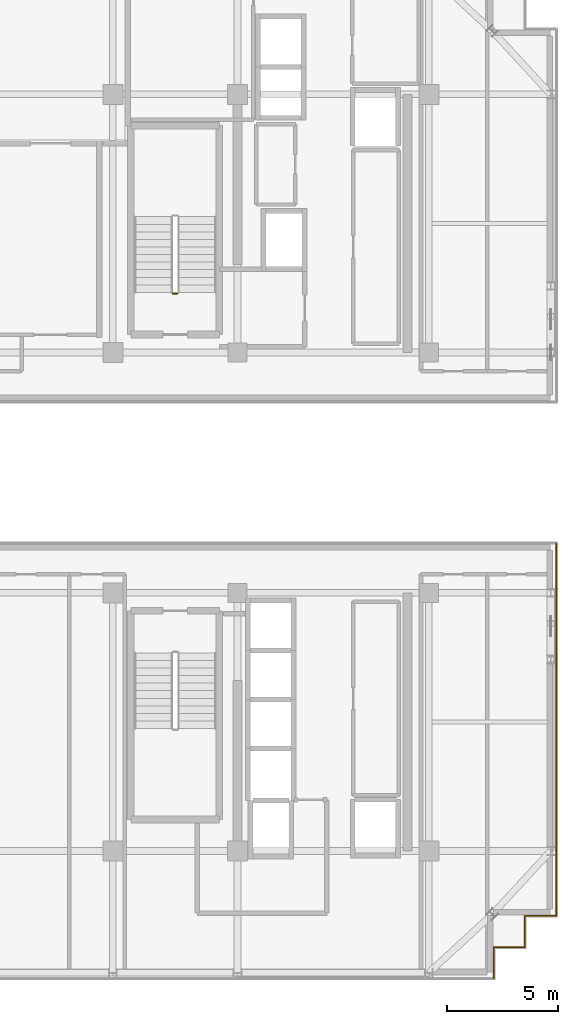
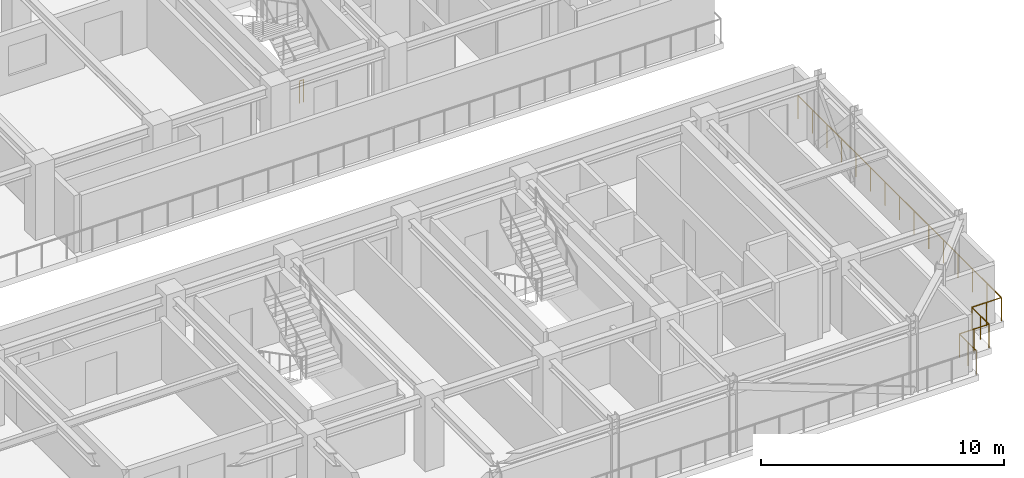
# One storey, part 12 of 14: 6 railings.
"""IFC4 building model written with IfcOpenShell, lengths in metres."""

from ifc_helpers import new_model, si_unit, direction, frame, origin, origin_2d, place, context, subcontext, project, spatial, circle, extrude, material, type_object, element, save


model = new_model("IFC4")

# Units and contexts
model_context = context("Model", 3, precision=1e-05, world=origin(), true_north=direction((0.0, 1.0)))
body_context = subcontext(model_context, "Body", "Model", "MODEL_VIEW")
ifc_project = project(units=[si_unit("LENGTHUNIT", "METRE"), si_unit("AREAUNIT", "SQUARE_METRE"), si_unit("VOLUMEUNIT", "CUBIC_METRE"), si_unit("PLANEANGLEUNIT", "RADIAN"), si_unit("MASSUNIT", "GRAM", prefix="KILO")], contexts=[model_context])

# Site, building, storey
site_placement = place(None, origin())
site = spatial("IfcSite", under=ifc_project, at=site_placement, CompositionType="ELEMENT")
building_placement = place(site_placement, origin())
building = spatial("IfcBuilding", under=site, at=building_placement, Name="Nahalor Promenade Grand Hotel", CompositionType="ELEMENT")
storey_placement = place(building_placement, frame((0.0, 0.0, 296.5)))
storey = spatial("IfcBuildingStorey", under=building, at=storey_placement, Name="L76", CompositionType="ELEMENT", Elevation=296.5)

# Railings
ifc_material_1 = material(Name="Anodised Bronze Aluminium EN AW-6063 T6", Category="aluminium")
railing_type_1 = type_object("IfcRailingType", Name="Bronze Balcony Guardrail 1200 mm", PredefinedType="GUARDRAIL", material=ifc_material_1)
railing_1_placement = place(storey_placement, frame((19.919921875, -22.719970703125, 0.0)))
element("IfcRailing", 1, at=railing_1_placement, inside=storey, type_object=railing_type_1, Name="L76 Edge Guardrail RL-L76-WP-S-2", PredefinedType="GUARDRAIL", context=body_context, shape_type="SweptSolid", body=[
    extrude(circle(Radius=0.024048, at=origin_2d()), frame((0.0, 0.0, 1.17578125), z_axis=(0.0, 1.0, 0.0), x_axis=(-1.0, 0.0, 0.0)), (0.0, 0.0, 1.0), 1.39990234375),
    extrude(circle(Radius=0.020996, at=origin_2d()), origin(), (0.0, 0.0, 1.0), 1.14990234375),
    extrude(circle(Radius=0.020996, at=origin_2d()), frame((0.0, 0.699951171875, 0.0)), (0.0, 0.0, 1.0), 1.14990234375),
    extrude(circle(Radius=0.020996, at=origin_2d()), frame((0.0, 1.39990234375, 0.0)), (0.0, 0.0, 1.0), 1.14990234375),
])
railing_2_placement = place(storey_placement, frame((19.919921875, -21.320068359375, 0.0)))
element("IfcRailing", 2, at=railing_2_placement, inside=storey, type_object=railing_type_1, Name="L76 Edge Guardrail RL-L76-WP-S-3", PredefinedType="GUARDRAIL", context=body_context, shape_type="SweptSolid", body=[
    extrude(circle(Radius=0.024048, at=origin_2d()), frame((0.0, 0.0, 1.17578125), z_axis=(1.0, 0.0, 0.0), x_axis=(0.0, 1.0, 0.0)), (0.0, 0.0, 1.0), 1.400146484375),
    extrude(circle(Radius=0.020996, at=origin_2d()), origin(), (0.0, 0.0, 1.0), 1.14990234375),
    extrude(circle(Radius=0.020996, at=origin_2d()), frame((0.7001953125, 0.0, 0.0)), (0.0, 0.0, 1.0), 1.14990234375),
    extrude(circle(Radius=0.020996, at=origin_2d()), frame((1.400146484375, 0.0, 0.0)), (0.0, 0.0, 1.0), 1.14990234375),
])
railing_3_placement = place(storey_placement, frame((21.320068359375, -21.320068359375, 0.0)))
element("IfcRailing", 3, at=railing_3_placement, inside=storey, type_object=railing_type_1, Name="L76 Edge Guardrail RL-L76-WP-S-4", PredefinedType="GUARDRAIL", context=body_context, shape_type="SweptSolid", body=[
    extrude(circle(Radius=0.024048, at=origin_2d()), frame((0.0, 0.0, 1.17578125), z_axis=(0.0, 1.0, 0.0), x_axis=(-1.0, 0.0, 0.0)), (0.0, 0.0, 1.0), 1.400146484375),
    extrude(circle(Radius=0.020996, at=origin_2d()), origin(), (0.0, 0.0, 1.0), 1.14990234375),
    extrude(circle(Radius=0.020996, at=origin_2d()), frame((0.0, 0.7001953125, 0.0)), (0.0, 0.0, 1.0), 1.14990234375),
    extrude(circle(Radius=0.020996, at=origin_2d()), frame((0.0, 1.400146484375, 0.0)), (0.0, 0.0, 1.0), 1.14990234375),
])
railing_4_placement = place(storey_placement, frame((21.320068359375, -19.919921875, 0.0)))
element("IfcRailing", 4, at=railing_4_placement, inside=storey, type_object=railing_type_1, Name="L76 Edge Guardrail RL-L76-WP-S-5", PredefinedType="GUARDRAIL", context=body_context, shape_type="SweptSolid", body=[
    extrude(circle(Radius=0.024048, at=origin_2d()), frame((0.0, 0.0, 1.17578125), z_axis=(1.0, 0.0, 0.0), x_axis=(0.0, 1.0, 0.0)), (0.0, 0.0, 1.0), 1.39990234375),
    extrude(circle(Radius=0.020996, at=origin_2d()), origin(), (0.0, 0.0, 1.0), 1.14990234375),
    extrude(circle(Radius=0.020996, at=origin_2d()), frame((0.699951171875, 0.0, 0.0)), (0.0, 0.0, 1.0), 1.14990234375),
    extrude(circle(Radius=0.020996, at=origin_2d()), frame((1.39990234375, 0.0, 0.0)), (0.0, 0.0, 1.0), 1.14990234375),
])
railing_5_placement = place(storey_placement, frame((22.719970703125, -19.919921875, 0.0)))
element("IfcRailing", 5, at=railing_5_placement, inside=storey, type_object=railing_type_1, Name="L76 Edge Guardrail RL-L76-WP-S-6", PredefinedType="GUARDRAIL", context=body_context, shape_type="SweptSolid", body=[
    extrude(circle(Radius=0.024048, at=origin_2d()), frame((0.0, 0.0, 1.17578125), z_axis=(0.0, 1.0, 0.0), x_axis=(-1.0, 0.0, 0.0)), (0.0, 0.0, 1.0), 16.739990234375),
    extrude(circle(Radius=0.020996, at=origin_2d()), origin(), (0.0, 0.0, 1.0), 1.14990234375),
    extrude(circle(Radius=0.020996, at=origin_2d()), frame((0.0, 1.19580078125, 0.0)), (0.0, 0.0, 1.0), 1.14990234375),
    extrude(circle(Radius=0.020996, at=origin_2d()), frame((0.0, 2.391357421875, 0.0)), (0.0, 0.0, 1.0), 1.14990234375),
    extrude(circle(Radius=0.020996, at=origin_2d()), frame((0.0, 3.587158203125, 0.0)), (0.0, 0.0, 1.0), 1.14990234375),
    extrude(circle(Radius=0.020996, at=origin_2d()), frame((0.0, 4.782958984375, 0.0)), (0.0, 0.0, 1.0), 1.14990234375),
    extrude(circle(Radius=0.020996, at=origin_2d()), frame((0.0, 5.978515625, 0.0)), (0.0, 0.0, 1.0), 1.14990234375),
    extrude(circle(Radius=0.020996, at=origin_2d()), frame((0.0, 7.17431640625, 0.0)), (0.0, 0.0, 1.0), 1.14990234375),
    extrude(circle(Radius=0.020996, at=origin_2d()), frame((0.0, 8.3701171875, 0.0)), (0.0, 0.0, 1.0), 1.14990234375),
    extrude(circle(Radius=0.020996, at=origin_2d()), frame((0.0, 9.565673828125, 0.0)), (0.0, 0.0, 1.0), 1.14990234375),
    extrude(circle(Radius=0.020996, at=origin_2d()), frame((0.0, 10.761474609375, 0.0)), (0.0, 0.0, 1.0), 1.14990234375),
    extrude(circle(Radius=0.020996, at=origin_2d()), frame((0.0, 11.95703125, 0.0)), (0.0, 0.0, 1.0), 1.14990234375),
    extrude(circle(Radius=0.020996, at=origin_2d()), frame((0.0, 13.15283203125, 0.0)), (0.0, 0.0, 1.0), 1.14990234375),
    extrude(circle(Radius=0.020996, at=origin_2d()), frame((0.0, 14.3486328125, 0.0)), (0.0, 0.0, 1.0), 1.14990234375),
    extrude(circle(Radius=0.020996, at=origin_2d()), frame((0.0, 15.544189453125, 0.0)), (0.0, 0.0, 1.0), 1.14990234375),
    extrude(circle(Radius=0.020996, at=origin_2d()), frame((0.0, 16.739990234375, 0.0)), (0.0, 0.0, 1.0), 1.14990234375),
])
ifc_material_2 = material(Name="Steel S355JR", Category="steel")
railing_type_2 = type_object("IfcRailingType", Name="Steel Stair Guardrail 1150 mm", PredefinedType="GUARDRAIL", material=ifc_material_2)
railing_6_placement = place(storey_placement, frame((5.699951171875, 8.050048828125, 0.0)))
element("IfcRailing", 6, at=railing_6_placement, inside=storey, type_object=railing_type_2, Name="L76 ST1 stair guard 4", PredefinedType="GUARDRAIL", context=body_context, shape_type="SweptSolid", body=[
    extrude(circle(Radius=0.024048, at=origin_2d()), frame((0.0, 0.0, 1.1259765625), z_axis=(-1.0, 0.0, 0.0), x_axis=(0.0, -1.0, 0.0)), (0.0, 0.0, 1.0), 0.199951171875),
    extrude(circle(Radius=0.020996, at=origin_2d()), origin(), (0.0, 0.0, 1.0), 1.099853515625),
    extrude(circle(Radius=0.020996, at=origin_2d()), frame((-0.199951171875, 0.0, 0.0)), (0.0, 0.0, 1.0), 1.099853515625),
])

save(model, "model.ifc")
